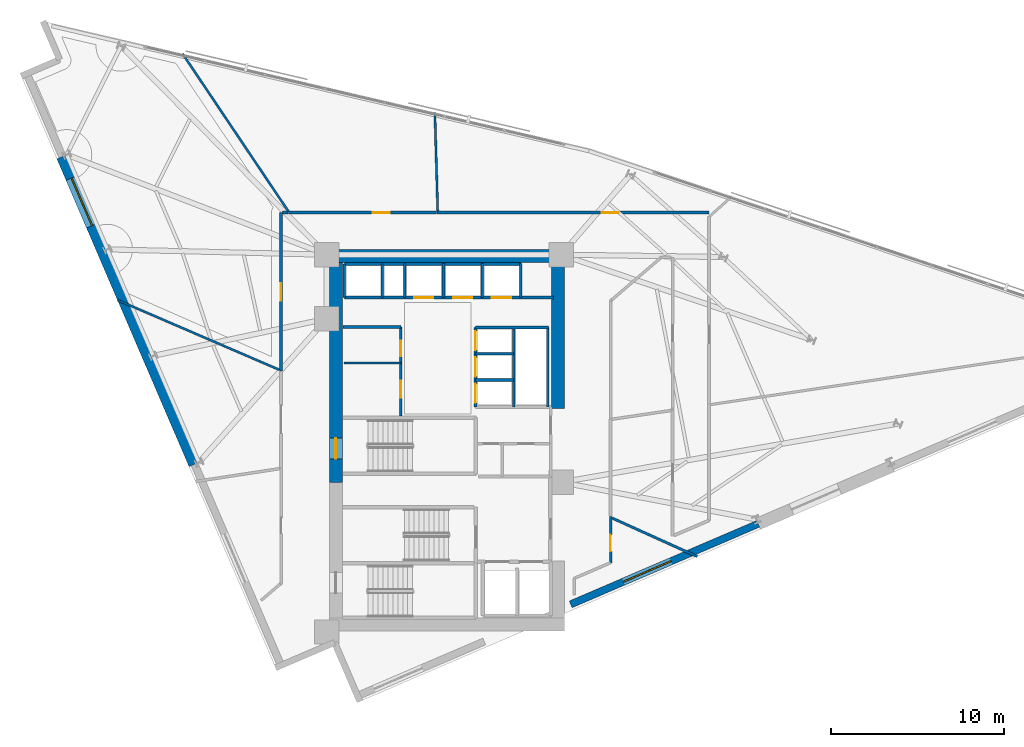
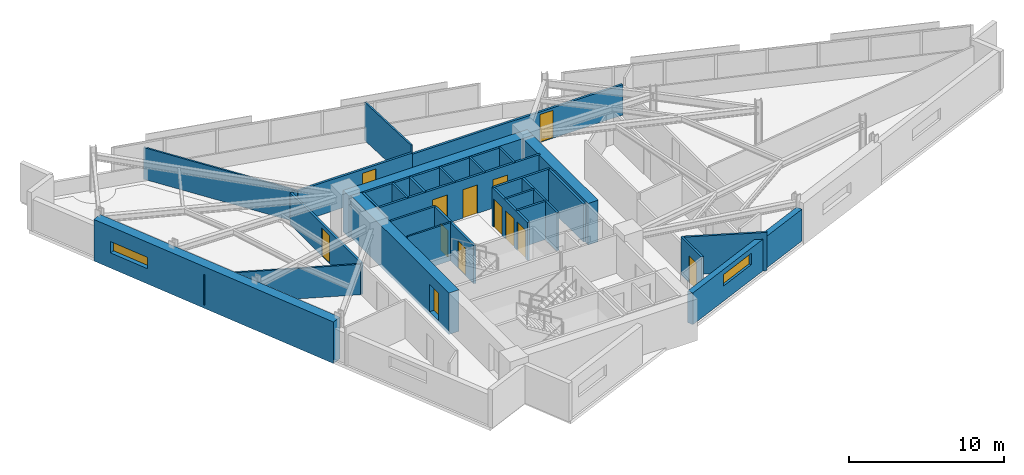
# One storey, part 10 of 14: 32 walls, 13 doors, 2 windows, 15 openings.
"""IFC4 building model written with IfcOpenShell, lengths in metres."""

from ifc_helpers import new_model, si_unit, direction, frame, frame_2d, origin, place, context, subcontext, project, spatial, rectangle, extrude, material, layer, layer_set, type_object, element, fill, save


model = new_model("IFC4")

# Units and contexts
model_context = context("Model", 3, precision=1e-05, world=origin(), true_north=direction((0.0, 1.0)))
body_context = subcontext(model_context, "Body", "Model", "MODEL_VIEW")
ifc_project = project(units=[si_unit("LENGTHUNIT", "METRE"), si_unit("AREAUNIT", "SQUARE_METRE"), si_unit("VOLUMEUNIT", "CUBIC_METRE"), si_unit("PLANEANGLEUNIT", "RADIAN"), si_unit("MASSUNIT", "GRAM", prefix="KILO")], contexts=[model_context])

# Site, building, storey
site_placement = place(None, origin())
site = spatial("IfcSite", under=ifc_project, at=site_placement, CompositionType="ELEMENT")
building_placement = place(site_placement, origin())
building = spatial("IfcBuilding", under=site, at=building_placement, Name="Narakoshi Arena Tower", CompositionType="ELEMENT")
storey_placement = place(building_placement, frame((0.0, 0.0, 193.179931640625)))
storey = spatial("IfcBuildingStorey", under=building, at=storey_placement, Name="L52", CompositionType="ELEMENT", Elevation=193.179931640625)

# Wall, opening, door
ifc_material_1 = material(Name="Concrete C50/60", Category="concrete")
ifc_layer_1 = layer(ifc_material_1, 0.75)
ifc_layer_set_1 = layer_set([ifc_layer_1], Name="Concrete C50/60")
wall_type_1 = type_object("IfcWallType", Name="WL-CORE-750", PredefinedType="SHEAR", material=ifc_layer_set_1)
wall_1_placement = place(storey_placement, frame((72.52490234375, 43.35009765625, -0.260009765625), z_axis=(0.0, 0.0, 1.0), x_axis=(0.0, 1.0, 0.0)))
wall_1 = element("IfcWall", 1, at=wall_1_placement, inside=storey, type_object=wall_type_1, Name="L52 Main Core Shear Wall CW-MN-W", PredefinedType="SHEAR", context=body_context, shape_type="SweptSolid", body=[
    extrude(rectangle(XDim=12.699951171875, YDim=0.75, at=frame_2d((6.35009765625, 0.0))), origin(), (0.0, 0.0, 1.0), 3.280029296875),
])
opening_1_placement = place(wall_1_placement, frame((1.35009765625, 0.0, 0.260009765625)))
opening_1 = element("IfcOpeningElement", 2, at=opening_1_placement, cuts=wall_1, Name="Opening D-03", PredefinedType="OPENING", context=body_context, shape_type="SweptSolid", body=[
    extrude(rectangle(XDim=1.199951171875, YDim=2.199951171875, at=frame_2d((0.60009765625, 1.10009765625))), frame((0.0, 0.385009765625, 0.0), z_axis=(0.0, -1.0, 0.0), x_axis=(1.0, 0.0, 0.0)), (0.0, 0.0, 1.0), 0.77001953125),
])
ifc_material_2 = material(Name="Painted galvanized steel", Category="steel")
door_type_1 = type_object("IfcDoorType", Name="DR-STR-1200", OperationType="NOTDEFINED", PredefinedType="USERDEFINED", material=ifc_material_2)
door_1_placement = place(opening_1_placement, frame((1.199951171875, 0.0, 0.0), z_axis=(0.0, 0.0, 1.0), x_axis=(-1.0, 0.0, 0.0)))
door_1 = element("IfcDoor", 3, at=door_1_placement, inside=storey, type_object=door_type_1, Name="DR-L52-006", ObjectType="EXITDOOR", OperationType="SINGLE_SWING_LEFT", OverallHeight=2.199951171875, OverallWidth=1.199951171875, PredefinedType="USERDEFINED", context=body_context, shape_type="SweptSolid", body=[
    extrude(rectangle(XDim=1.199951171875, YDim=2.199951171875, at=frame_2d((0.60009765625, 1.10009765625))), frame((0.0, 0.02490234375, 0.0), z_axis=(0.0, -1.0, 0.0), x_axis=(1.0, 0.0, 0.0)), (0.0, 0.0, 1.0), 0.050048828125),
])
fill(opening_1, door_1)

# Walls
wall_2_placement = place(storey_placement, frame((72.0, 56.425048828125, -0.260009765625), z_axis=(0.0, 0.0, 1.0), x_axis=(1.0, 0.0, 0.0)))
element("IfcWall", 4, at=wall_2_placement, inside=storey, type_object=wall_type_1, Name="L52 Main Core Shear Wall CW-MN-N", PredefinedType="SHEAR", context=body_context, shape_type="SweptSolid", body=[
    extrude(rectangle(XDim=13.75, YDim=0.75, at=frame_2d((6.875, 0.0))), origin(), (0.0, 0.0, 1.0), 3.280029296875),
])
wall_3_placement = place(storey_placement, frame((85.375, 47.60009765625, -0.260009765625), z_axis=(0.0, 0.0, 1.0), x_axis=(0.0, 1.0, 0.0)))
element("IfcWall", 5, at=wall_3_placement, inside=storey, type_object=wall_type_1, Name="L52 Main Core Shear Wall CW-MN-E", PredefinedType="SHEAR", context=body_context, shape_type="SweptSolid", body=[
    extrude(rectangle(XDim=8.449951171875, YDim=0.75, at=frame_2d((4.22509765625, 0.0))), origin(), (0.0, 0.0, 1.0), 3.280029296875),
])

# Wall, opening, door
ifc_material_3 = material(Name="Gypsum plasterboard fire-rated partition")
ifc_layer_2 = layer(ifc_material_3, 0.1650390625)
ifc_layer_set_2 = layer_set([ifc_layer_2], Name="Gypsum plasterboard fire-rated partition")
wall_type_2 = type_object("IfcWallType", Name="WL-CORR-165", PredefinedType="PARTITIONING", material=ifc_layer_set_2)
wall_4_placement = place(storey_placement, frame((94.08740234375, 58.929931640625, 0.0), z_axis=(0.0, 0.0, 1.0), x_axis=(-1.0, 0.0, 0.0)))
wall_4 = element("IfcWall", 6, at=wall_4_placement, inside=storey, type_object=wall_type_2, Name="L52 Corridor Partition 06-1", PredefinedType="PARTITIONING", context=body_context, shape_type="SweptSolid", body=[
    extrude(rectangle(XDim=15.7060546875, YDim=0.1650390625, at=frame_2d((7.85302734375, 0.0))), origin(), (0.0, 0.0, 1.0), 2.405029296875),
])
opening_2_placement = place(wall_4_placement, frame((5.20703125, 0.0, 0.0)))
opening_2 = element("IfcOpeningElement", 7, at=opening_2_placement, cuts=wall_4, Name="Opening D-06", PredefinedType="OPENING", context=body_context, shape_type="SweptSolid", body=[
    extrude(rectangle(XDim=1.0, YDim=2.199951171875, at=frame_2d((0.5, 1.10009765625))), frame((0.0, 0.092529296875, 0.0), z_axis=(0.0, -1.0, 0.0), x_axis=(1.0, 0.0, 0.0)), (0.0, 0.0, 1.0), 0.18505859375),
])
ifc_material_4 = material(Name="Stained oak solid-core timber", Category="wood")
door_type_2 = type_object("IfcDoorType", Name="DR-OFF-1000", OperationType="NOTDEFINED", PredefinedType="DOOR", material=ifc_material_4)
door_2_placement = place(opening_2_placement, frame((1.0, 0.0, 0.0), z_axis=(0.0, 0.0, 1.0), x_axis=(-1.0, 0.0, 0.0)))
door_2 = element("IfcDoor", 8, at=door_2_placement, inside=storey, type_object=door_type_2, Name="DR-L52-023", OperationType="SINGLE_SWING_LEFT", OverallHeight=2.199951171875, OverallWidth=1.0, PredefinedType="DOOR", context=body_context, shape_type="SweptSolid", body=[
    extrude(rectangle(XDim=1.0, YDim=2.199951171875, at=frame_2d((0.5, 1.10009765625))), frame((0.0, 0.02490234375, 0.0), z_axis=(0.0, -1.0, 0.0), x_axis=(1.0, 0.0, 0.0)), (0.0, 0.0, 1.0), 0.050048828125),
])
fill(opening_2, door_2)

wall_5_placement = place(storey_placement, frame((78.357421875, 58.929931640625, 0.0), z_axis=(0.0, 0.0, 1.0), x_axis=(-1.0, 0.0, 0.0)))
wall_5 = element("IfcWall", 9, at=wall_5_placement, inside=storey, type_object=wall_type_2, Name="L52 Corridor Partition 07-1", PredefinedType="PARTITIONING", context=body_context, shape_type="SweptSolid", body=[
    extrude(rectangle(XDim=8.551025390625, YDim=0.1650390625, at=frame_2d((4.275390625, 0.0))), origin(), (0.0, 0.0, 1.0), 2.505126953125),
])
opening_3_placement = place(wall_5_placement, frame((2.702880859375, 0.0, 0.0)))
opening_3 = element("IfcOpeningElement", 10, at=opening_3_placement, cuts=wall_5, Name="Opening D-06", PredefinedType="OPENING", context=body_context, shape_type="SweptSolid", body=[
    extrude(rectangle(XDim=1.0, YDim=2.199951171875, at=frame_2d((0.5, 1.10009765625))), frame((0.0, 0.092529296875, 0.0), z_axis=(0.0, -1.0, 0.0), x_axis=(1.0, 0.0, 0.0)), (0.0, 0.0, 1.0), 0.18505859375),
])
door_3_placement = place(opening_3_placement, frame((1.0, 0.0, 0.0), z_axis=(0.0, 0.0, 1.0), x_axis=(-1.0, 0.0, 0.0)))
door_3 = element("IfcDoor", 11, at=door_3_placement, inside=storey, type_object=door_type_2, Name="DR-L52-024", OperationType="SINGLE_SWING_RIGHT", OverallHeight=2.199951171875, OverallWidth=1.0, PredefinedType="DOOR", context=body_context, shape_type="SweptSolid", body=[
    extrude(rectangle(XDim=1.0, YDim=2.199951171875, at=frame_2d((0.5, 1.10009765625))), frame((0.0, 0.02490234375, 0.0), z_axis=(0.0, -1.0, 0.0), x_axis=(1.0, 0.0, 0.0)), (0.0, 0.0, 1.0), 0.050048828125),
])
fill(opening_3, door_3)

wall_6_placement = place(storey_placement, frame((69.362548828125, 58.929931640625, 0.0), z_axis=(0.0, 0.0, 1.0), x_axis=(0.0, -1.0, 0.0)))
wall_6 = element("IfcWall", 12, at=wall_6_placement, inside=storey, type_object=wall_type_2, Name="L52 Corridor Partition 08-1", PredefinedType="PARTITIONING", context=body_context, shape_type="SweptSolid", body=[
    extrude(rectangle(XDim=9.164306640625, YDim=0.1650390625, at=frame_2d((4.58203125, 0.0))), origin(), (0.0, 0.0, 1.0), 2.505126953125),
])
opening_4_placement = place(wall_6_placement, frame((4.08203125, 0.0, 0.0)))
opening_4 = element("IfcOpeningElement", 13, at=opening_4_placement, cuts=wall_6, Name="Opening D-06", PredefinedType="OPENING", context=body_context, shape_type="SweptSolid", body=[
    extrude(rectangle(XDim=1.0, YDim=2.199951171875, at=frame_2d((0.5, 1.10009765625))), frame((0.0, 0.092529296875, 0.0), z_axis=(0.0, -1.0, 0.0), x_axis=(1.0, 0.0, 0.0)), (0.0, 0.0, 1.0), 0.18505859375),
])
door_4_placement = place(opening_4_placement, frame((1.0, 0.0, 0.0), z_axis=(0.0, 0.0, 1.0), x_axis=(-1.0, 0.0, 0.0)))
door_4 = element("IfcDoor", 14, at=door_4_placement, inside=storey, type_object=door_type_2, Name="DR-L52-025", OperationType="SINGLE_SWING_LEFT", OverallHeight=2.199951171875, OverallWidth=1.0, PredefinedType="DOOR", context=body_context, shape_type="SweptSolid", body=[
    extrude(rectangle(XDim=1.0, YDim=2.199951171875, at=frame_2d((0.5, 1.10009765625))), frame((0.0, 0.02490234375, 0.0), z_axis=(0.0, -1.0, 0.0), x_axis=(1.0, 0.0, 0.0)), (0.0, 0.0, 1.0), 0.050048828125),
])
fill(opening_4, door_4)

# Wall
wall_7_placement = place(storey_placement, frame((69.77734375, 58.929931640625, 0.0), z_axis=(0.0, 0.0, 1.0), x_axis=(-1.0, 0.0, 0.0)))
element("IfcWall", 15, at=wall_7_placement, inside=storey, type_object=wall_type_2, Name="L52 Corridor Partition 08-2", PredefinedType="PARTITIONING", context=body_context, shape_type="SweptSolid", body=[
    extrude(rectangle(XDim=0.3203125, YDim=0.1650390625, at=frame_2d((0.16015625, 0.0))), origin(), (0.0, 0.0, 1.0), 2.505126953125),
])

# Wall, opening, window
ifc_material_5 = material(Name="Concrete C60/75", Category="concrete")
ifc_layer_3 = layer(ifc_material_5, 0.699951171875)
ifc_layer_set_3 = layer_set([ifc_layer_3], Name="Concrete C60/75")
wall_type_3 = type_object("IfcWallType", Name="WL-LEG-700", PredefinedType="SHEAR", material=ifc_layer_set_3)
wall_8_placement = place(storey_placement, frame((56.7275390625, 62.171875, -0.260009765625), z_axis=(0.0, 0.0, 1.0), x_axis=(0.394736752992, -0.918794261974, 0.0)))
wall_8 = element("IfcWall", 16, at=wall_8_placement, inside=storey, type_object=wall_type_3, Name="L52 Architectural Concrete Structural Wall LEGB-2", PredefinedType="SHEAR", context=body_context, shape_type="SweptSolid", body=[
    extrude(rectangle(XDim=19.3525390625, YDim=0.699951171875, at=frame_2d((9.67626953125, 0.0))), origin(), (0.0, 0.0, 1.0), 3.280029296875),
])
opening_5_placement = place(wall_8_placement, frame((1.347412109375, 0.0, 1.199951171875)))
opening_5 = element("IfcOpeningElement", 17, at=opening_5_placement, cuts=wall_8, Name="Opening WN-03", PredefinedType="OPENING", context=body_context, shape_type="SweptSolid", body=[
    extrude(rectangle(XDim=3.0, YDim=0.89990234375, at=frame_2d((1.5, 0.449951171875))), frame((0.0, 0.35986328125, 0.0), z_axis=(0.0, -1.0, 0.0), x_axis=(1.0, 0.0, 0.0)), (0.0, 0.0, 1.0), 0.719970703125),
])
ifc_material_6 = material(Name="Bronze-tinted low-E laminated glass", Category="glass")
window_type = type_object("IfcWindowType", Name="WIN-SLT-30x09", PartitioningType="SINGLE_PANEL", PredefinedType="WINDOW", material=ifc_material_6)
window_1_placement = place(opening_5_placement, origin())
window_1 = element("IfcWindow", 18, at=window_1_placement, inside=storey, type_object=window_type, Name="L52 LEGB2 Horizontal Slot Window 1", OverallHeight=0.89990234375, OverallWidth=3.0, PartitioningType="SINGLE_PANEL", PredefinedType="WINDOW", context=body_context, shape_type="SweptSolid", body=[
    extrude(rectangle(XDim=3.0, YDim=0.89990234375, at=frame_2d((1.5, 0.449951171875))), frame((0.0, 0.030029296875, 0.0), z_axis=(0.0, -1.0, 0.0), x_axis=(1.0, 0.0, 0.0)), (0.0, 0.0, 1.0), 0.06005859375),
])
fill(opening_5, window_1)

# Walls
ifc_layer_4 = layer(ifc_material_3, 0.125)
ifc_layer_set_4 = layer_set([ifc_layer_4], Name="Gypsum plasterboard fire-rated partition")
wall_type_4 = type_object("IfcWallType", Name="WL-PART-125", PredefinedType="PARTITIONING", material=ifc_layer_set_4)
wall_9_placement = place(storey_placement, frame((73.0, 50.25, 0.0), z_axis=(0.0, 0.0, 1.0), x_axis=(1.0, 0.0, 0.0)))
element("IfcWall", 19, at=wall_9_placement, inside=storey, type_object=wall_type_4, Name="L52 Core Wall RCL-LR-D2", PredefinedType="PARTITIONING", context=body_context, shape_type="SweptSolid", body=[
    extrude(rectangle(XDim=3.280029296875, YDim=0.125, at=frame_2d((1.64013671875, 0.0))), origin(), (0.0, 0.0, 1.0), 3.02001953125),
])
wall_10_placement = place(storey_placement, frame((78.414794921875, 59.0244140625, 0.0), z_axis=(0.0, 0.0, 1.0), x_axis=(-0.028744438942, 0.999586793245, 0.0)))
element("IfcWall", 20, at=wall_10_placement, inside=storey, type_object=wall_type_4, Name="L52 Inter-Room Partition 06-07", PredefinedType="PARTITIONING", context=body_context, shape_type="SweptSolid", body=[
    extrude(rectangle(XDim=5.69921875, YDim=0.125, at=frame_2d((2.849609375, 0.0))), origin(), (0.0, 0.0, 1.0), 3.02001953125),
])
wall_11_placement = place(storey_placement, frame((69.806396484375, 58.976318359375, 0.0), z_axis=(0.0, 0.0, 1.0), x_axis=(-0.557460829641, 0.830203242234, 0.0)))
element("IfcWall", 21, at=wall_11_placement, inside=storey, type_object=wall_type_4, Name="L52 Inter-Room Partition 07-08", PredefinedType="PARTITIONING", context=body_context, shape_type="SweptSolid", body=[
    extrude(rectangle(XDim=11.00830078125, YDim=0.125, at=frame_2d((5.504150390625, 0.0))), origin(), (0.0, 0.0, 1.0), 2.505126953125),
])
wall_12_placement = place(storey_placement, frame((69.26806640625, 49.845703125, 0.0), z_axis=(0.0, 0.0, 1.0), x_axis=(-0.918317780538, 0.395843976773, 0.0)))
element("IfcWall", 22, at=wall_12_placement, inside=storey, type_object=wall_type_4, Name="L52 Inter-Room Partition 08-09", PredefinedType="PARTITIONING", context=body_context, shape_type="SweptSolid", body=[
    extrude(rectangle(XDim=10.19140625, YDim=0.125, at=frame_2d((5.095703125, 0.0))), origin(), (0.0, 0.0, 1.0), 2.405029296875),
])

# Wall, opening, window
ifc_material_7 = material(Name="Precast concrete C45/55", Category="concrete")
ifc_layer_5 = layer(ifc_material_7, 0.419921875)
ifc_layer_set_5 = layer_set([ifc_layer_5], Name="Precast concrete C45/55")
wall_type_5 = type_object("IfcWallType", Name="WL-POD-420", PredefinedType="SOLIDWALL", material=ifc_layer_set_5)
wall_13_placement = place(storey_placement, frame((86.10009765625, 36.296142578125, 0.0), z_axis=(0.0, 0.0, 1.0), x_axis=(0.918792412723, 0.394741057306, 0.0)))
wall_13 = element("IfcWall", 23, at=wall_13_placement, inside=storey, type_object=wall_type_5, Name="L52 Architectural Concrete Facade Wall LEGA-2", PredefinedType="SOLIDWALL", context=body_context, shape_type="SweptSolid", body=[
    extrude(rectangle(XDim=11.79443359375, YDim=0.419921875, at=frame_2d((5.897216796875, 0.0))), origin(), (0.0, 0.0, 1.0), 2.505126953125),
])
opening_6_placement = place(wall_13_placement, frame((3.31103515625, 0.0, 1.199951171875)))
opening_6 = element("IfcOpeningElement", 24, at=opening_6_placement, cuts=wall_13, Name="Opening WN-03", PredefinedType="OPENING", context=body_context, shape_type="SweptSolid", body=[
    extrude(rectangle(XDim=3.0, YDim=0.89990234375, at=frame_2d((1.5, 0.449951171875))), frame((0.0, 0.219970703125, 0.0), z_axis=(0.0, -1.0, 0.0), x_axis=(1.0, 0.0, 0.0)), (0.0, 0.0, 1.0), 0.43994140625),
])
window_2_placement = place(opening_6_placement, origin())
window_2 = element("IfcWindow", 25, at=window_2_placement, inside=storey, type_object=window_type, Name="L52 LEGA2 Horizontal Slot Window 1", OverallHeight=0.89990234375, OverallWidth=3.0, PartitioningType="SINGLE_PANEL", PredefinedType="WINDOW", context=body_context, shape_type="SweptSolid", body=[
    extrude(rectangle(XDim=3.0, YDim=0.89990234375, at=frame_2d((1.5, 0.449951171875))), frame((0.0, 0.030029296875, 0.0), z_axis=(0.0, -1.0, 0.0), x_axis=(1.0, 0.0, 0.0)), (0.0, 0.0, 1.0), 0.06005859375),
])
fill(opening_6, window_2)

# Walls
ifc_material_8 = material(Name="Concrete C40/50", Category="concrete")
ifc_layer_6 = layer(ifc_material_8, 0.280029296875)
ifc_layer_set_6 = layer_set([ifc_layer_6], Name="Concrete C40/50")
wall_type_6 = type_object("IfcWallType", Name="WL-RISER-280", PredefinedType="PLUMBINGWALL", material=ifc_layer_set_6)
for number, where, z_axis, x_axis, name in (
    (26, (80.60009765625, 49.260009765625, 0.0), (0.0, 0.0, 1.0), (1.0, 0.0, 0.0), "L52 Core Wall MR-D1"),
    (27, (80.60009765625, 50.780029296875, 0.0), (0.0, 0.0, 1.0), (1.0, 0.0, 0.0), "L52 Core Wall MR-D2"),
):
    element("IfcWall", number, at=place(storey_placement, frame(where, z_axis=z_axis, x_axis=x_axis)), inside=storey, type_object=wall_type_6, Name=name, PredefinedType="PLUMBINGWALL", context=body_context, shape_type="SweptSolid", body=[
        extrude(rectangle(XDim=2.199951171875, YDim=0.14990234375, at=frame_2d((1.10009765625, 0.0))), origin(), (0.0, 0.0, 1.0), 3.02001953125),
    ])
wall_14_placement = place(storey_placement, frame((82.800048828125, 47.699951171875, 0.0), z_axis=(0.0, 0.0, 1.0), x_axis=(0.0, 1.0, 0.0)))
element("IfcWall", 28, at=wall_14_placement, inside=storey, type_object=wall_type_6, Name="L52 Core Wall MR-E", PredefinedType="PLUMBINGWALL", context=body_context, shape_type="SweptSolid", body=[
    extrude(rectangle(XDim=4.60009765625, YDim=0.14990234375, at=frame_2d((2.300048828125, 0.0))), origin(), (0.0, 0.0, 1.0), 3.02001953125),
])
for number, where, z_axis, x_axis, name in (
    (29, (73.02001953125, 54.02001953125, 0.0), (0.0, 0.0, 1.0), (0.0, 1.0, 0.0), "L52 Core Wall OBS-W"),
    (30, (75.219970703125, 54.02001953125, 0.0), (0.0, 0.0, 1.0), (0.0, 1.0, 0.0), "L52 Core Wall OBS-M"),
):
    element("IfcWall", number, at=place(storey_placement, frame(where, z_axis=z_axis, x_axis=x_axis)), inside=storey, type_object=wall_type_6, Name=name, PredefinedType="PLUMBINGWALL", context=body_context, shape_type="SweptSolid", body=[
        extrude(rectangle(XDim=1.93994140625, YDim=0.14990234375, at=frame_2d((0.969970703125, 0.0))), origin(), (0.0, 0.0, 1.0), 3.02001953125),
    ])
for number, where, z_axis, x_axis, name in (
    (31, (78.75, 54.02001953125, 0.0), (0.0, 0.0, 1.0), (0.0, 1.0, 0.0), "L52 Core Wall HR-D1"),
    (32, (81.0, 54.02001953125, 0.0), (0.0, 0.0, 1.0), (0.0, 1.0, 0.0), "L52 Core Wall HR-D2"),
):
    element("IfcWall", number, at=place(storey_placement, frame(where, z_axis=z_axis, x_axis=x_axis)), inside=storey, type_object=wall_type_6, Name=name, PredefinedType="PLUMBINGWALL", context=body_context, shape_type="SweptSolid", body=[
        extrude(rectangle(XDim=1.9599609375, YDim=0.14990234375, at=frame_2d((0.97998046875, 0.0))), origin(), (0.0, 0.0, 1.0), 3.02001953125),
    ])

# Wall, openings, doors
ifc_layer_7 = layer(ifc_material_1, 0.35009765625)
ifc_layer_set_7 = layer_set([ifc_layer_7], Name="Concrete C50/60")
wall_type_7 = type_object("IfcWallType", Name="WL-SHAFT-350", PredefinedType="SOLIDWALL", material=ifc_layer_set_7)
wall_15_placement = place(storey_placement, frame((76.280029296875, 47.179931640625, 0.0), z_axis=(0.0, 0.0, 1.0), x_axis=(0.0, 1.0, 0.0)))
wall_15 = element("IfcWall", 33, at=wall_15_placement, inside=storey, type_object=wall_type_7, Name="L52 Core Wall LR-E", PredefinedType="SOLIDWALL", context=body_context, shape_type="SweptSolid", body=[
    extrude(rectangle(XDim=5.14013671875, YDim=0.159912109375, at=frame_2d((2.570068359375, 0.0))), origin(), (0.0, 0.0, 1.0), 3.02001953125),
])
opening_7_placement = place(wall_15_placement, frame((1.050048828125, 0.0, 0.0)))
opening_7 = element("IfcOpeningElement", 34, at=opening_7_placement, cuts=wall_15, Name="Opening D-06", PredefinedType="OPENING", context=body_context, shape_type="SweptSolid", body=[
    extrude(rectangle(XDim=1.0, YDim=2.199951171875, at=frame_2d((0.5, 1.10009765625))), frame((0.0, 0.08984375, 0.0), z_axis=(0.0, -1.0, 0.0), x_axis=(1.0, 0.0, 0.0)), (0.0, 0.0, 1.0), 0.179931640625),
])
opening_8_placement = place(wall_15_placement, frame((3.449951171875, 0.0, 0.0)))
opening_8 = element("IfcOpeningElement", 35, at=opening_8_placement, cuts=wall_15, Name="Opening D-08", PredefinedType="OPENING", context=body_context, shape_type="SweptSolid", body=[
    extrude(rectangle(XDim=0.89990234375, YDim=2.10009765625, at=frame_2d((0.449951171875, 1.050048828125))), frame((0.0, 0.08984375, 0.0), z_axis=(0.0, -1.0, 0.0), x_axis=(1.0, 0.0, 0.0)), (0.0, 0.0, 1.0), 0.179931640625),
])
door_5_placement = place(opening_7_placement, frame((1.0, 0.0, 0.0), z_axis=(0.0, 0.0, 1.0), x_axis=(-1.0, 0.0, 0.0)))
door_5 = element("IfcDoor", 36, at=door_5_placement, inside=storey, type_object=door_type_2, Name="DR-L52-010", OperationType="SINGLE_SWING_RIGHT", OverallHeight=2.199951171875, OverallWidth=1.0, PredefinedType="DOOR", context=body_context, shape_type="SweptSolid", body=[
    extrude(rectangle(XDim=1.0, YDim=2.199951171875, at=frame_2d((0.5, 1.10009765625))), frame((0.0, 0.02490234375, 0.0), z_axis=(0.0, -1.0, 0.0), x_axis=(1.0, 0.0, 0.0)), (0.0, 0.0, 1.0), 0.050048828125),
])
fill(opening_7, door_5)
ifc_material_9 = material(Name="Moisture-resistant laminate timber", Category="wood")
door_type_3 = type_object("IfcDoorType", Name="DR-WC-900", OperationType="NOTDEFINED", PredefinedType="DOOR", material=ifc_material_9)
door_6_placement = place(opening_8_placement, frame((0.89990234375, 0.0, 0.0), z_axis=(0.0, 0.0, 1.0), x_axis=(-1.0, 0.0, 0.0)))
door_6 = element("IfcDoor", 37, at=door_6_placement, inside=storey, type_object=door_type_3, Name="DR-L52-011", OperationType="SINGLE_SWING_LEFT", OverallHeight=2.10009765625, OverallWidth=0.89990234375, PredefinedType="DOOR", context=body_context, shape_type="SweptSolid", body=[
    extrude(rectangle(XDim=0.89990234375, YDim=2.10009765625, at=frame_2d((0.449951171875, 1.050048828125))), frame((0.0, 0.02490234375, 0.0), z_axis=(0.0, -1.0, 0.0), x_axis=(1.0, 0.0, 0.0)), (0.0, 0.0, 1.0), 0.050048828125),
])
fill(opening_8, door_6)

# Wall
wall_16_placement = place(storey_placement, frame((72.949951171875, 52.320068359375, 0.0), z_axis=(0.0, 0.0, 1.0), x_axis=(1.0, 0.0, 0.0)))
element("IfcWall", 38, at=wall_16_placement, inside=storey, type_object=wall_type_7, Name="L52 Core Wall LR-N", PredefinedType="SOLIDWALL", context=body_context, shape_type="SweptSolid", body=[
    extrude(rectangle(XDim=3.330078125, YDim=0.14990234375, at=frame_2d((1.6650390625, 0.0))), origin(), (0.0, 0.0, 1.0), 3.02001953125),
])

# Wall, openings, doors
wall_17_placement = place(storey_placement, frame((80.60009765625, 47.699951171875, 0.0), z_axis=(0.0, 0.0, 1.0), x_axis=(0.0, 1.0, 0.0)))
wall_17 = element("IfcWall", 39, at=wall_17_placement, inside=storey, type_object=wall_type_7, Name="L52 Core Wall MR-W", PredefinedType="SOLIDWALL", context=body_context, shape_type="SweptSolid", body=[
    extrude(rectangle(XDim=4.60009765625, YDim=0.159912109375, at=frame_2d((2.300048828125, 0.0))), origin(), (0.0, 0.0, 1.0), 3.02001953125),
])
opening_9_placement = place(wall_17_placement, frame((0.239990234375, 0.0, 0.0)))
opening_9 = element("IfcOpeningElement", 40, at=opening_9_placement, cuts=wall_17, Name="Opening LD-01", PredefinedType="OPENING", context=body_context, shape_type="SweptSolid", body=[
    extrude(rectangle(XDim=1.10009765625, YDim=2.25, at=frame_2d((0.550048828125, 1.125))), frame((0.0, 0.08984375, 0.0), z_axis=(0.0, -1.0, 0.0), x_axis=(1.0, 0.0, 0.0)), (0.0, 0.0, 1.0), 0.179931640625),
])
opening_10_placement = place(wall_17_placement, frame((1.760009765625, 0.0, 0.0)))
opening_10 = element("IfcOpeningElement", 41, at=opening_10_placement, cuts=wall_17, Name="Opening LD-01", PredefinedType="OPENING", context=body_context, shape_type="SweptSolid", body=[
    extrude(rectangle(XDim=1.10009765625, YDim=2.25, at=frame_2d((0.550048828125, 1.125))), frame((0.0, 0.08984375, 0.0), z_axis=(0.0, -1.0, 0.0), x_axis=(1.0, 0.0, 0.0)), (0.0, 0.0, 1.0), 0.179931640625),
])
opening_11_placement = place(wall_17_placement, frame((3.280029296875, 0.0, 0.0)))
opening_11 = element("IfcOpeningElement", 42, at=opening_11_placement, cuts=wall_17, Name="Opening LD-01", PredefinedType="OPENING", context=body_context, shape_type="SweptSolid", body=[
    extrude(rectangle(XDim=1.10009765625, YDim=2.25, at=frame_2d((0.550048828125, 1.125))), frame((0.0, 0.08984375, 0.0), z_axis=(0.0, -1.0, 0.0), x_axis=(1.0, 0.0, 0.0)), (0.0, 0.0, 1.0), 0.179931640625),
])
ifc_material_10 = material(Name="Brushed bronze stainless steel", Category="steel")
door_type_4 = type_object("IfcDoorType", Name="DR-LFT-1100", OperationType="DOUBLE_DOOR_SLIDING", PredefinedType="DOOR", material=ifc_material_10)
door_7_placement = place(opening_9_placement, frame((1.10009765625, 0.0, 0.0), z_axis=(0.0, 0.0, 1.0), x_axis=(-1.0, 0.0, 0.0)))
door_7 = element("IfcDoor", 43, at=door_7_placement, inside=storey, type_object=door_type_4, Name="DR-L52-012", OperationType="DOUBLE_DOOR_SLIDING", OverallHeight=2.25, OverallWidth=1.10009765625, PredefinedType="DOOR", context=body_context, shape_type="SweptSolid", body=[
    extrude(rectangle(XDim=1.10009765625, YDim=2.25, at=frame_2d((0.550048828125, 1.125))), frame((0.0, 0.02490234375, 0.0), z_axis=(0.0, -1.0, 0.0), x_axis=(1.0, 0.0, 0.0)), (0.0, 0.0, 1.0), 0.050048828125),
])
fill(opening_9, door_7)
door_8_placement = place(opening_10_placement, frame((1.10009765625, 0.0, 0.0), z_axis=(0.0, 0.0, 1.0), x_axis=(-1.0, 0.0, 0.0)))
door_8 = element("IfcDoor", 44, at=door_8_placement, inside=storey, type_object=door_type_4, Name="DR-L52-013", OperationType="DOUBLE_DOOR_SLIDING", OverallHeight=2.25, OverallWidth=1.10009765625, PredefinedType="DOOR", context=body_context, shape_type="SweptSolid", body=[
    extrude(rectangle(XDim=1.10009765625, YDim=2.25, at=frame_2d((0.550048828125, 1.125))), frame((0.0, 0.02490234375, 0.0), z_axis=(0.0, -1.0, 0.0), x_axis=(1.0, 0.0, 0.0)), (0.0, 0.0, 1.0), 0.050048828125),
])
fill(opening_10, door_8)
door_9_placement = place(opening_11_placement, frame((1.10009765625, 0.0, 0.0), z_axis=(0.0, 0.0, 1.0), x_axis=(-1.0, 0.0, 0.0)))
door_9 = element("IfcDoor", 45, at=door_9_placement, inside=storey, type_object=door_type_4, Name="DR-L52-014", OperationType="DOUBLE_DOOR_SLIDING", OverallHeight=2.25, OverallWidth=1.10009765625, PredefinedType="DOOR", context=body_context, shape_type="SweptSolid", body=[
    extrude(rectangle(XDim=1.10009765625, YDim=2.25, at=frame_2d((0.550048828125, 1.125))), frame((0.0, 0.02490234375, 0.0), z_axis=(0.0, -1.0, 0.0), x_axis=(1.0, 0.0, 0.0)), (0.0, 0.0, 1.0), 0.050048828125),
])
fill(opening_11, door_9)

# Walls
wall_18_placement = place(storey_placement, frame((80.60009765625, 52.300048828125, 0.0), z_axis=(0.0, 0.0, 1.0), x_axis=(1.0, 0.0, 0.0)))
element("IfcWall", 46, at=wall_18_placement, inside=storey, type_object=wall_type_7, Name="L52 Core Wall MR-N", PredefinedType="SOLIDWALL", context=body_context, shape_type="SweptSolid", body=[
    extrude(rectangle(XDim=4.219970703125, YDim=0.159912109375, at=frame_2d((2.10986328125, 0.0))), origin(), (0.0, 0.0, 1.0), 3.02001953125),
])
wall_19_placement = place(storey_placement, frame((84.780029296875, 47.699951171875, 0.0), z_axis=(0.0, 0.0, 1.0), x_axis=(0.0, 1.0, 0.0)))
element("IfcWall", 47, at=wall_19_placement, inside=storey, type_object=wall_type_7, Name="L52 Core Wall MR-E2", PredefinedType="SOLIDWALL", context=body_context, shape_type="SweptSolid", body=[
    extrude(rectangle(XDim=4.60009765625, YDim=0.159912109375, at=frame_2d((2.300048828125, 0.0))), origin(), (0.0, 0.0, 1.0), 3.02001953125),
])

# Wall, openings, doors
wall_20_placement = place(storey_placement, frame((73.02001953125, 54.02001953125, 0.0), z_axis=(0.0, 0.0, 1.0), x_axis=(1.0, 0.0, 0.0)))
wall_20 = element("IfcWall", 48, at=wall_20_placement, inside=storey, type_object=wall_type_7, Name="L52 Core Wall NSHF-S", PredefinedType="SOLIDWALL", context=body_context, shape_type="SweptSolid", body=[
    extrude(rectangle(XDim=12.080078125, YDim=0.159912109375, at=frame_2d((6.0400390625, 0.0))), origin(), (0.0, 0.0, 1.0), 3.02001953125),
])
opening_12_placement = place(wall_20_placement, frame((4.030029296875, 0.0, 0.0)))
opening_12 = element("IfcOpeningElement", 49, at=opening_12_placement, cuts=wall_20, Name="Opening LD-01", PredefinedType="OPENING", context=body_context, shape_type="SweptSolid", body=[
    extrude(rectangle(XDim=1.10009765625, YDim=2.25, at=frame_2d((0.550048828125, 1.125))), frame((0.0, 0.08984375, 0.0), z_axis=(0.0, -1.0, 0.0), x_axis=(1.0, 0.0, 0.0)), (0.0, 0.0, 1.0), 0.179931640625),
])
opening_13_placement = place(wall_20_placement, frame((6.280029296875, 0.0, 0.0)))
opening_13 = element("IfcOpeningElement", 50, at=opening_13_placement, cuts=wall_20, Name="Opening LD-01", PredefinedType="OPENING", context=body_context, shape_type="SweptSolid", body=[
    extrude(rectangle(XDim=1.10009765625, YDim=2.25, at=frame_2d((0.550048828125, 1.125))), frame((0.0, 0.08984375, 0.0), z_axis=(0.0, -1.0, 0.0), x_axis=(1.0, 0.0, 0.0)), (0.0, 0.0, 1.0), 0.179931640625),
])
opening_14_placement = place(wall_20_placement, frame((8.530029296875, 0.0, 0.0)))
opening_14 = element("IfcOpeningElement", 51, at=opening_14_placement, cuts=wall_20, Name="Opening LD-01", PredefinedType="OPENING", context=body_context, shape_type="SweptSolid", body=[
    extrude(rectangle(XDim=1.10009765625, YDim=2.25, at=frame_2d((0.550048828125, 1.125))), frame((0.0, 0.08984375, 0.0), z_axis=(0.0, -1.0, 0.0), x_axis=(1.0, 0.0, 0.0)), (0.0, 0.0, 1.0), 0.179931640625),
])
door_10_placement = place(opening_12_placement, origin())
door_10 = element("IfcDoor", 52, at=door_10_placement, inside=storey, type_object=door_type_4, Name="DR-L52-015", OperationType="DOUBLE_DOOR_SLIDING", OverallHeight=2.25, OverallWidth=1.10009765625, PredefinedType="DOOR", context=body_context, shape_type="SweptSolid", body=[
    extrude(rectangle(XDim=1.10009765625, YDim=2.25, at=frame_2d((0.550048828125, 1.125))), frame((0.0, 0.02490234375, 0.0), z_axis=(0.0, -1.0, 0.0), x_axis=(1.0, 0.0, 0.0)), (0.0, 0.0, 1.0), 0.050048828125),
])
fill(opening_12, door_10)
door_11_placement = place(opening_13_placement, origin())
door_11 = element("IfcDoor", 53, at=door_11_placement, inside=storey, type_object=door_type_4, Name="DR-L52-016", OperationType="DOUBLE_DOOR_SLIDING", OverallHeight=2.25, OverallWidth=1.10009765625, PredefinedType="DOOR", context=body_context, shape_type="SweptSolid", body=[
    extrude(rectangle(XDim=1.10009765625, YDim=2.25, at=frame_2d((0.550048828125, 1.125))), frame((0.0, 0.02490234375, 0.0), z_axis=(0.0, -1.0, 0.0), x_axis=(1.0, 0.0, 0.0)), (0.0, 0.0, 1.0), 0.050048828125),
])
fill(opening_13, door_11)
door_12_placement = place(opening_14_placement, origin())
door_12 = element("IfcDoor", 54, at=door_12_placement, inside=storey, type_object=door_type_4, Name="DR-L52-017", OperationType="DOUBLE_DOOR_SLIDING", OverallHeight=2.25, OverallWidth=1.10009765625, PredefinedType="DOOR", context=body_context, shape_type="SweptSolid", body=[
    extrude(rectangle(XDim=1.10009765625, YDim=2.25, at=frame_2d((0.550048828125, 1.125))), frame((0.0, 0.02490234375, 0.0), z_axis=(0.0, -1.0, 0.0), x_axis=(1.0, 0.0, 0.0)), (0.0, 0.0, 1.0), 0.050048828125),
])
fill(opening_14, door_12)

# Walls
wall_21_placement = place(storey_placement, frame((73.02001953125, 55.9599609375, 0.0), z_axis=(0.0, 0.0, 1.0), x_axis=(1.0, 0.0, 0.0)))
element("IfcWall", 55, at=wall_21_placement, inside=storey, type_object=wall_type_7, Name="L52 Core Wall OBS-N", PredefinedType="SOLIDWALL", context=body_context, shape_type="SweptSolid", body=[
    extrude(rectangle(XDim=3.5, YDim=0.14990234375, at=frame_2d((1.75, 0.0))), origin(), (0.0, 0.0, 1.0), 3.02001953125),
])
wall_22_placement = place(storey_placement, frame((76.52001953125, 54.02001953125, 0.0), z_axis=(0.0, 0.0, 1.0), x_axis=(0.0, 1.0, 0.0)))
element("IfcWall", 56, at=wall_22_placement, inside=storey, type_object=wall_type_7, Name="L52 Core Wall OBS-E", PredefinedType="SOLIDWALL", context=body_context, shape_type="SweptSolid", body=[
    extrude(rectangle(XDim=1.93994140625, YDim=0.14990234375, at=frame_2d((0.969970703125, 0.0))), origin(), (0.0, 0.0, 1.0), 3.02001953125),
])
wall_23_placement = place(storey_placement, frame((83.219970703125, 54.02001953125, 0.0), z_axis=(0.0, 0.0, 1.0), x_axis=(0.0, 1.0, 0.0)))
element("IfcWall", 57, at=wall_23_placement, inside=storey, type_object=wall_type_7, Name="L52 Core Wall HR-E", PredefinedType="SOLIDWALL", context=body_context, shape_type="SweptSolid", body=[
    extrude(rectangle(XDim=1.9599609375, YDim=0.14990234375, at=frame_2d((0.97998046875, 0.0))), origin(), (0.0, 0.0, 1.0), 3.02001953125),
])
wall_24_placement = place(storey_placement, frame((76.52001953125, 55.9599609375, 0.0), z_axis=(0.0, 0.0, 1.0), x_axis=(1.0, 0.0, 0.0)))
element("IfcWall", 58, at=wall_24_placement, inside=storey, type_object=wall_type_7, Name="L52 Core Wall HR-N", PredefinedType="SOLIDWALL", context=body_context, shape_type="SweptSolid", body=[
    extrude(rectangle(XDim=6.699951171875, YDim=0.14990234375, at=frame_2d((3.35009765625, 0.0))), origin(), (0.0, 0.0, 1.0), 3.02001953125),
])

# Wall, opening, door
ifc_material_11 = material(Name="Moisture-resistant cement-board partition")
ifc_layer_8 = layer(ifc_material_11, 0.14501953125)
ifc_layer_set_8 = layer_set([ifc_layer_8], Name="Moisture-resistant cement-board partition")
wall_type_8 = type_object("IfcWallType", Name="WL-WET-145", PredefinedType="PARTITIONING", material=ifc_layer_set_8)
wall_25_placement = place(storey_placement, frame((88.39990234375, 38.69921875, 0.0), z_axis=(0.0, 0.0, 1.0), x_axis=(0.0, 1.0, 0.0)))
wall_25 = element("IfcWall", 59, at=wall_25_placement, inside=storey, type_object=wall_type_8, Name="L52 Corridor Partition 02-1", PredefinedType="PARTITIONING", context=body_context, shape_type="SweptSolid", body=[
    extrude(rectangle(XDim=2.66357421875, YDim=0.14501953125, at=frame_2d((1.331787109375, 0.0))), origin(), (0.0, 0.0, 1.0), 3.02001953125),
])
opening_15_placement = place(wall_25_placement, frame((0.65966796875, 0.0, 0.0)))
opening_15 = element("IfcOpeningElement", 60, at=opening_15_placement, cuts=wall_25, Name="Opening D-07", PredefinedType="OPENING", context=body_context, shape_type="SweptSolid", body=[
    extrude(rectangle(XDim=0.949951171875, YDim=2.14990234375, at=frame_2d((0.47509765625, 1.074951171875))), frame((0.0, 0.08251953125, 0.0), z_axis=(0.0, -1.0, 0.0), x_axis=(1.0, 0.0, 0.0)), (0.0, 0.0, 1.0), 0.1650390625),
])
door_type_5 = type_object("IfcDoorType", Name="DR-ACC-950", OperationType="NOTDEFINED", PredefinedType="DOOR", material=ifc_material_4)
door_13_placement = place(opening_15_placement, frame((0.949951171875, 0.0, 0.0), z_axis=(0.0, 0.0, 1.0), x_axis=(-1.0, 0.0, 0.0)))
door_13 = element("IfcDoor", 61, at=door_13_placement, inside=storey, type_object=door_type_5, Name="DR-L52-019", OperationType="SINGLE_SWING_RIGHT", OverallHeight=2.14990234375, OverallWidth=0.949951171875, PredefinedType="DOOR", context=body_context, shape_type="SweptSolid", body=[
    extrude(rectangle(XDim=0.949951171875, YDim=2.14990234375, at=frame_2d((0.47509765625, 1.074951171875))), frame((0.0, 0.02490234375, 0.0), z_axis=(0.0, -1.0, 0.0), x_axis=(1.0, 0.0, 0.0)), (0.0, 0.0, 1.0), 0.050048828125),
])
fill(opening_15, door_13)

# Wall
wall_26_placement = place(storey_placement, frame((88.484619140625, 41.285400390625, 0.0), z_axis=(0.0, 0.0, 1.0), x_axis=(0.911260799287, -0.411829765415, 0.0)))
element("IfcWall", 62, at=wall_26_placement, inside=storey, type_object=wall_type_8, Name="L52 Inter-Room Partition 02-03", PredefinedType="PARTITIONING", context=body_context, shape_type="SweptSolid", body=[
    extrude(rectangle(XDim=5.409423828125, YDim=0.14501953125, at=frame_2d((2.70458984375, 0.0))), origin(), (0.0, 0.0, 1.0), 3.02001953125),
])

save(model, "model.ifc")
